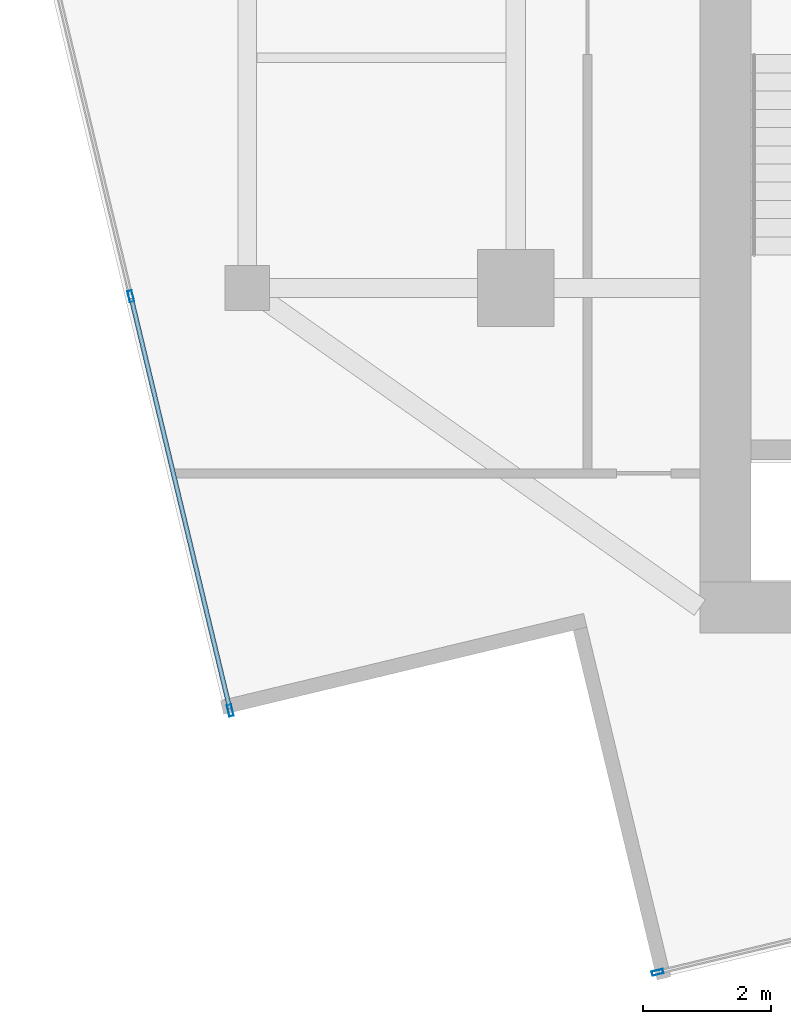
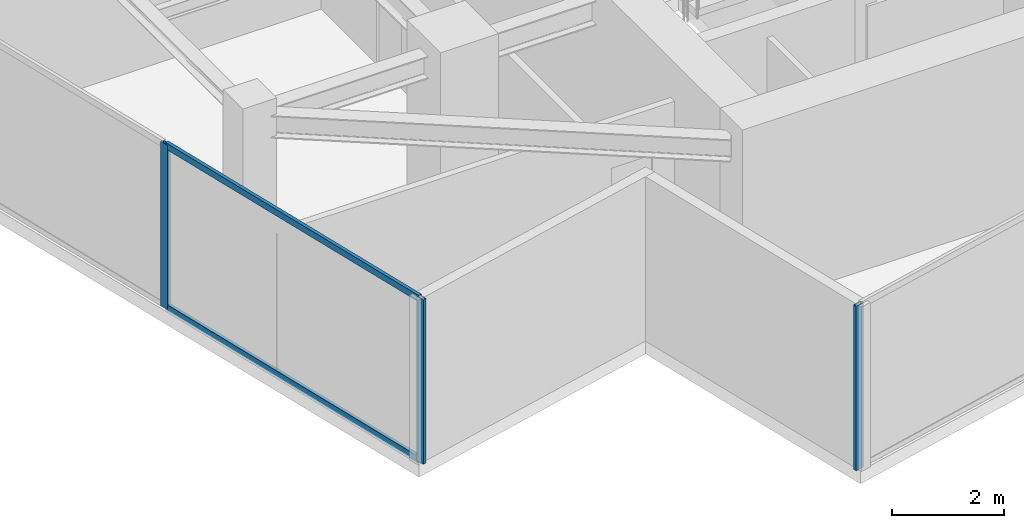
# One storey, part 2 of 22: 5 members, 2 elements without a shape of their own.
"""IFC4 building model written with IfcOpenShell, lengths in metres."""

from ifc_helpers import new_model, si_unit, direction, frame, origin, origin_2d, place, context, subcontext, project, spatial, hollow_rectangle, extrude, source, transform, mapped, material, material_profile, profile_set, type_object, type_shapes, element, aggregate, save


model = new_model("IFC4")

# Units and contexts
model_context = context("Model", 3, precision=1e-05, world=origin(), true_north=direction((0.0, 1.0)))
body_context = subcontext(model_context, "Body", "Model", "MODEL_VIEW")
ifc_project = project(units=[si_unit("LENGTHUNIT", "METRE"), si_unit("AREAUNIT", "SQUARE_METRE"), si_unit("VOLUMEUNIT", "CUBIC_METRE"), si_unit("PLANEANGLEUNIT", "RADIAN"), si_unit("MASSUNIT", "GRAM", prefix="KILO")], contexts=[model_context])

# Site, building, storey
site_placement = place(None, origin())
site = spatial("IfcSite", under=ifc_project, at=site_placement, CompositionType="ELEMENT")
building_placement = place(site_placement, origin())
building = spatial("IfcBuilding", under=site, at=building_placement, Name="Krantzveldt Concourse Tower", CompositionType="ELEMENT")
storey_placement = place(building_placement, frame((0.0, 0.0, 359.300048828125)))
storey = spatial("IfcBuildingStorey", under=building, at=storey_placement, Name="L88", CompositionType="ELEMENT", Elevation=359.300048828125)

# Curtain wall, members
ifc_material = material(Name="Anodised aluminium 6063-T6", Category="aluminium")
curtain_wall_type = type_object("IfcCurtainWallType", Name="CW4", PredefinedType="USERDEFINED", material=ifc_material)
curtain_wall_1_placement = place(storey_placement, origin())
curtain_wall_1 = element("IfcCurtainWall", 1, at=curtain_wall_1_placement, inside=storey, type_object=curtain_wall_type, Name="CW-L88-F04", ObjectType="UNITISED CURTAIN WALL", PredefinedType="USERDEFINED")
ifc_material_profile_1 = material_profile(ifc_material, hollow_rectangle(XDim=0.070068359375, YDim=0.139892578125, WallThickness=0.0048828125, at=origin_2d()), Name="Anodised aluminium 6063-T6", Category="aluminium")
ifc_profile_set_1 = profile_set([ifc_material_profile_1], Name="Anodised aluminium 6063-T6 - ALU-TRAN 140x70x5")
member_type_1 = type_object("IfcMemberType", Name="CW-TRN-150", PredefinedType="USERDEFINED", material=ifc_profile_set_1)
shared_shape_1 = source(origin(), body_context, "Body", "SweptSolid", [
    extrude(hollow_rectangle(XDim=0.070068359375, YDim=0.139892578125, WallThickness=0.0048828125, at=origin_2d()), origin(), (0.0, 0.0, 1.0), 6.5947265625),
])
type_shapes(member_type_1, [shared_shape_1])
member_1_placement = place(storey_placement, frame((19.184814453125, 15.736572265625, 0.034912109375), z_axis=(0.233448560082, -0.972369153046, 0.0), x_axis=(0.972369153046, 0.233448560082, 0.0)))
member_1 = element("IfcMember", 2, at=member_1_placement, type_object=member_type_1, Name="CW-Z56 transom 4.1", ObjectType="TRANSOM", PredefinedType="USERDEFINED", context=body_context, shape_type="MappedRepresentation", body=[
    mapped(shared_shape_1, transform((0.0, 0.0, 0.0), x_axis=(1.0, 0.0, 0.0), y_axis=(0.0, 1.0, 0.0), z_axis=(0.0, 0.0, 1.0), scale=1.0)),
])
member_2_placement = place(storey_placement, frame((19.184814453125, 15.736572265625, 3.56494140625), z_axis=(0.233448560082, -0.972369153046, 0.0), x_axis=(0.972369153046, 0.233448560082, 0.0)))
member_2 = element("IfcMember", 3, at=member_2_placement, type_object=member_type_1, Name="CW-Z56 transom 4.2", ObjectType="TRANSOM", PredefinedType="USERDEFINED", context=body_context, shape_type="MappedRepresentation", body=[
    mapped(shared_shape_1, transform((0.0, 0.0, 0.0), x_axis=(1.0, 0.0, 0.0), y_axis=(0.0, 1.0, 0.0), z_axis=(0.0, 0.0, 1.0), scale=1.0)),
])
ifc_material_profile_2 = material_profile(ifc_material, hollow_rectangle(XDim=0.070068359375, YDim=0.179931640625, WallThickness=0.0048828125, at=origin_2d()), Name="Anodised aluminium 6063-T6", Category="aluminium")
ifc_profile_set_2 = profile_set([ifc_material_profile_2], Name="Anodised aluminium 6063-T6 - ALU-MULL 180x70x5")
member_type_2 = type_object("IfcMemberType", Name="CW-MUL-180", PredefinedType="MULLION", material=ifc_profile_set_2)
shared_shape_2 = source(origin(), body_context, "Body", "SweptSolid", [
    extrude(hollow_rectangle(XDim=0.070068359375, YDim=0.179931640625, WallThickness=0.0048828125, at=origin_2d()), origin(), (0.0, 0.0, 1.0), 3.599853515625),
])
type_shapes(member_type_2, [shared_shape_2])
member_3_placement = place(storey_placement, frame((19.176513671875, 15.770751953125, 0.0), z_axis=(0.0, 0.0, 1.0), x_axis=(0.972369896884, 0.233445461796, 0.0)))
member_3 = element("IfcMember", 4, at=member_3_placement, type_object=member_type_2, Name="CW-Z56 mullion 4", PredefinedType="MULLION", context=body_context, shape_type="MappedRepresentation", body=[
    mapped(shared_shape_2, transform((0.0, 0.0, 0.0), x_axis=(1.0, 0.0, 0.0), y_axis=(0.0, 1.0, 0.0), z_axis=(0.0, 0.0, 1.0), scale=1.0)),
])
member_4_placement = place(storey_placement, frame((20.732421875, 9.289794921875, 0.0), z_axis=(0.0, 0.0, 1.0), x_axis=(0.972369896884, 0.233445461796, 0.0)))
member_4 = element("IfcMember", 5, at=member_4_placement, type_object=member_type_2, Name="CW-Z56 mullion 5", PredefinedType="MULLION", context=body_context, shape_type="MappedRepresentation", body=[
    mapped(shared_shape_2, transform((0.0, 0.0, 0.0), x_axis=(1.0, 0.0, 0.0), y_axis=(0.0, 1.0, 0.0), z_axis=(0.0, 0.0, 1.0), scale=1.0)),
])
aggregate(curtain_wall_1, [member_3, member_4, member_1, member_2])

# Curtain wall, member
curtain_wall_2_placement = place(storey_placement, origin())
curtain_wall_2 = element("IfcCurtainWall", 6, at=curtain_wall_2_placement, inside=storey, type_object=curtain_wall_type, Name="CW-L88-F07", ObjectType="UNITISED CURTAIN WALL", PredefinedType="USERDEFINED")
member_5_placement = place(storey_placement, frame((27.418701171875, 5.1923828125, 0.0), z_axis=(0.0, 0.0, 1.0), x_axis=(-0.233445461796, 0.972369896884, 0.0)))
member_5 = element("IfcMember", 7, at=member_5_placement, type_object=member_type_2, Name="CW-Z56 mullion 1", PredefinedType="MULLION", context=body_context, shape_type="MappedRepresentation", body=[
    mapped(shared_shape_2, transform((0.0, 0.0, 0.0), x_axis=(1.0, 0.0, 0.0), y_axis=(0.0, 1.0, 0.0), z_axis=(0.0, 0.0, 1.0), scale=1.0)),
])
aggregate(curtain_wall_2, [member_5])

save(model, "model.ifc")
